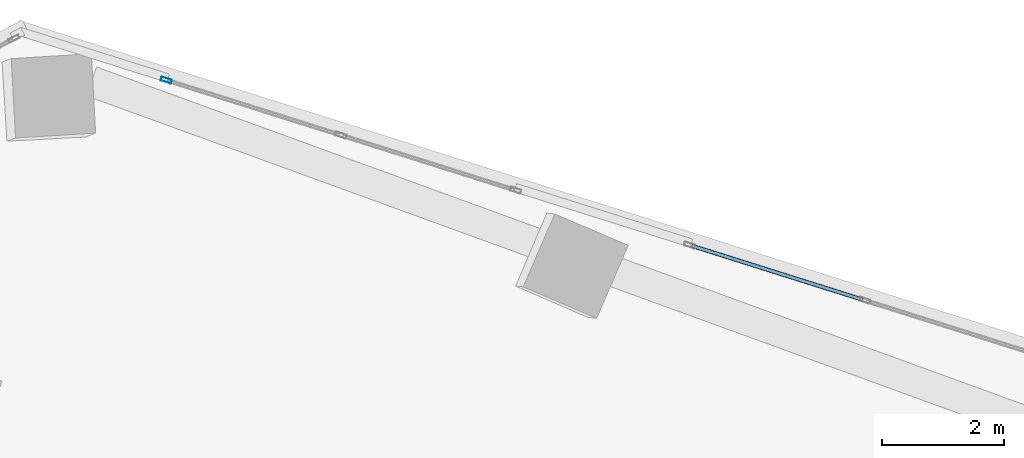
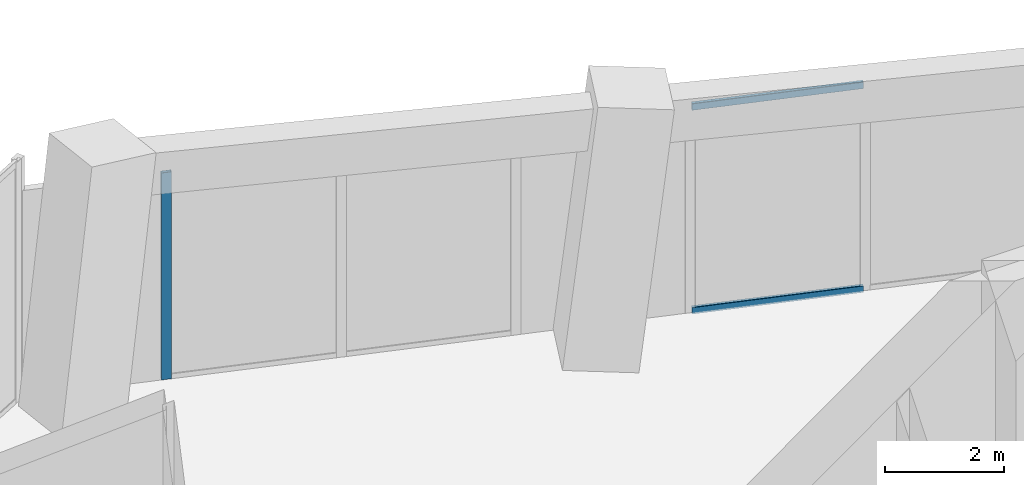
# One storey, part 15 of 29: 3 members, 2 elements without a shape of their own.
"""IFC4 building model written with IfcOpenShell, lengths in metres."""

from ifc_helpers import new_model, si_unit, direction, frame, origin, origin_2d, place, context, subcontext, project, spatial, hollow_rectangle, extrude, source, transform, mapped, material, material_profile, profile_set, type_object, element, aggregate, save


model = new_model("IFC4")

# Units and contexts
model_context = context("Model", 3, precision=1e-05, world=origin(), true_north=direction((0.0, 1.0)))
body_context = subcontext(model_context, "Body", "Model", "MODEL_VIEW")
ifc_project = project(units=[si_unit("LENGTHUNIT", "METRE"), si_unit("AREAUNIT", "SQUARE_METRE"), si_unit("VOLUMEUNIT", "CUBIC_METRE"), si_unit("PLANEANGLEUNIT", "RADIAN"), si_unit("MASSUNIT", "GRAM", prefix="KILO")], contexts=[model_context])

# Site, building, storey
site_placement = place(None, origin())
site = spatial("IfcSite", under=ifc_project, at=site_placement, CompositionType="ELEMENT")
building_placement = place(site_placement, origin())
building = spatial("IfcBuilding", under=site, at=building_placement, Name="Torre Montelarca", CompositionType="ELEMENT")
storey_placement = place(building_placement, frame((0.0, 0.0, 122.199951171875)))
storey = spatial("IfcBuildingStorey", under=building, at=storey_placement, Name="L27", CompositionType="ELEMENT", Elevation=122.199951171875)

# Curtain wall, member
ifc_material_1 = material(Name="Insulated low-E laminated glass", Category="glass")
curtain_wall_type = type_object("IfcCurtainWallType", Name="CW-SYS-Z1", PredefinedType="USERDEFINED", material=ifc_material_1)
curtain_wall_1_placement = place(storey_placement, origin())
curtain_wall_1 = element("IfcCurtainWall", 1, at=curtain_wall_1_placement, inside=storey, type_object=curtain_wall_type, Name="L27 Curtain Wall Run CW-T3-L27-E08-B4", ObjectType="UNITISED GLAZING", PredefinedType="USERDEFINED")
ifc_material_2 = material(Name="Anodised aluminium AA 6063-T6", Category="aluminium")
ifc_material_profile_1 = material_profile(ifc_material_2, hollow_rectangle(XDim=0.06494140625, YDim=0.179931640625, WallThickness=0.00390625, InnerFilletRadius=0.00390625, OuterFilletRadius=0.008056640625, at=origin_2d()), Name="ALU65X180X4", Category="aluminium")
ifc_profile_set_1 = profile_set([ifc_material_profile_1], Name="Anodised aluminium AA 6063-T6")
member_type_1 = type_object("IfcMemberType", Name="CWM-ALU180", PredefinedType="MULLION", material=ifc_profile_set_1)
shared_shape_1 = source(origin(), body_context, "Body", "SweptSolid", [
    extrude(hollow_rectangle(XDim=0.06494140625, YDim=0.179931640625, WallThickness=0.00390625, InnerFilletRadius=0.00390625, OuterFilletRadius=0.008056640625, at=origin_2d()), origin(), (0.0, 0.0, 1.0), 4.235107421875),
])
member_1_placement = place(storey_placement, frame((16.1611328125, 50.533203125, 0.0), z_axis=(0.0, 0.0, 1.0), x_axis=(-0.300694339721, -0.953720563928, 0.0)))
member_1 = element("IfcMember", 2, at=member_1_placement, type_object=member_type_1, Name="CW mullion 3", PredefinedType="MULLION", context=body_context, shape_type="MappedRepresentation", body=[
    mapped(shared_shape_1, transform((0.0, 0.0, 0.0), scale=1.0)),
])
aggregate(curtain_wall_1, [member_1])

# Curtain wall, members
curtain_wall_2_placement = place(storey_placement, origin())
curtain_wall_2 = element("IfcCurtainWall", 3, at=curtain_wall_2_placement, inside=storey, type_object=curtain_wall_type, Name="L27 Curtain Wall Run CW-T3-L27-E08-B3", ObjectType="UNITISED GLAZING", PredefinedType="USERDEFINED")
ifc_material_profile_2 = material_profile(ifc_material_2, hollow_rectangle(XDim=0.06494140625, YDim=0.139892578125, WallThickness=0.00390625, InnerFilletRadius=0.00390625, OuterFilletRadius=0.008056640625, at=origin_2d()), Name="ALU65X140X4", Category="aluminium")
ifc_profile_set_2 = profile_set([ifc_material_profile_2], Name="Anodised aluminium AA 6063-T6")
member_type_2 = type_object("IfcMemberType", Name="CWT-ALU140", PredefinedType="USERDEFINED", material=ifc_profile_set_2)
shared_shape_2 = source(origin(), body_context, "Body", "SweptSolid", [
    extrude(hollow_rectangle(XDim=0.06494140625, YDim=0.139892578125, WallThickness=0.00390625, InnerFilletRadius=0.00390625, OuterFilletRadius=0.008056640625, at=origin_2d()), origin(), (0.0, 0.0, 1.0), 2.9404296875),
])
member_2_placement = place(storey_placement, frame((27.57177734375, 46.935302734375, 0.032470703125), z_axis=(-0.953705565, 0.3007419081, 0.0), x_axis=(-0.3007419081, -0.953705565, 0.0)))
member_2 = element("IfcMember", 4, at=member_2_placement, type_object=member_type_2, Name="CW transom 2.1", ObjectType="TRANSOM", PredefinedType="USERDEFINED", context=body_context, shape_type="MappedRepresentation", body=[
    mapped(shared_shape_2, transform((0.0, 0.0, 0.0), scale=1.0)),
])
member_3_placement = place(storey_placement, frame((27.57177734375, 46.935302734375, 4.20263671875), z_axis=(-0.953705565, 0.3007419081, 0.0), x_axis=(-0.3007419081, -0.953705565, 0.0)))
member_3 = element("IfcMember", 5, at=member_3_placement, type_object=member_type_2, Name="CW transom 2.2", ObjectType="TRANSOM", PredefinedType="USERDEFINED", context=body_context, shape_type="MappedRepresentation", body=[
    mapped(shared_shape_2, transform((0.0, 0.0, 0.0), scale=1.0)),
])
aggregate(curtain_wall_2, [member_2, member_3])

save(model, "model.ifc")
